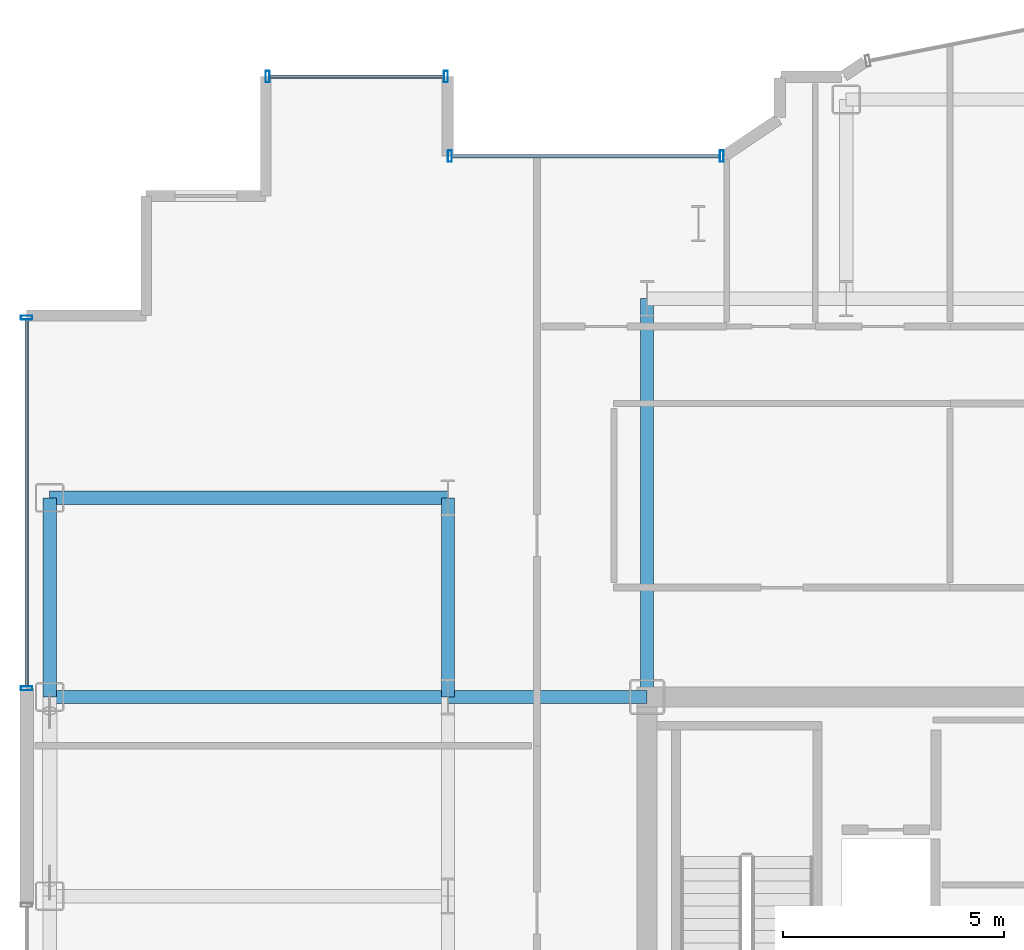
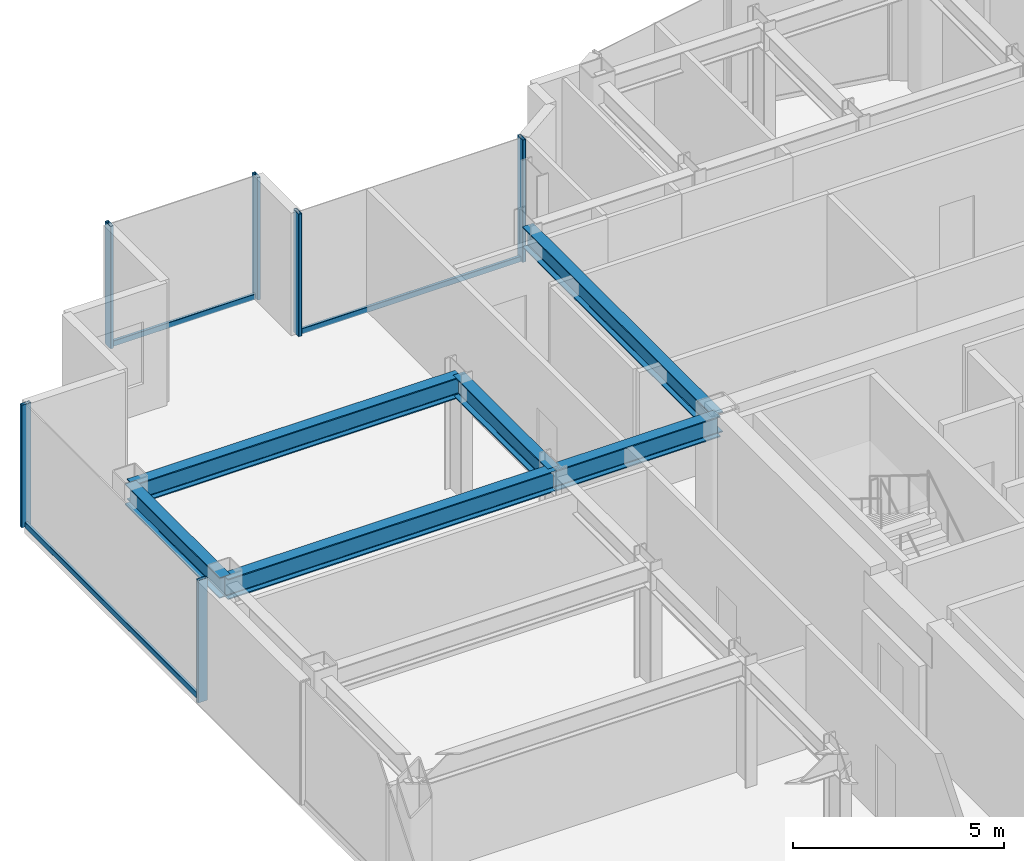
# One storey, part 9 of 21: 9 members, 6 beams, 3 elements without a shape of their own.
"""IFC4 building model written with IfcOpenShell, lengths in metres."""

from ifc_helpers import new_model, si_unit, direction, frame, origin, origin_2d, place, context, subcontext, project, spatial, hollow_rectangle, i_section, extrude, source, transform, mapped, material, layer, layer_set, material_profile, profile_set, type_object, element, aggregate, save


model = new_model("IFC4")

# Units and contexts
model_context = context("Model", 3, precision=1e-05, world=origin(), true_north=direction((0.0, 1.0)))
body_context = subcontext(model_context, "Body", "Model", "MODEL_VIEW")
ifc_project = project(units=[si_unit("LENGTHUNIT", "METRE"), si_unit("AREAUNIT", "SQUARE_METRE"), si_unit("VOLUMEUNIT", "CUBIC_METRE"), si_unit("PLANEANGLEUNIT", "RADIAN"), si_unit("MASSUNIT", "GRAM", prefix="KILO")], contexts=[model_context])

# Site, building, storey
site_placement = place(None, origin())
site = spatial("IfcSite", under=ifc_project, at=site_placement, CompositionType="ELEMENT")
building_placement = place(site_placement, origin())
building = spatial("IfcBuilding", under=site, at=building_placement, Name="Nefas-Gora Pilgrimage Tower", CompositionType="ELEMENT")
storey_placement = place(building_placement, frame((0.0, 0.0, 252.199951171875)))
storey = spatial("IfcBuildingStorey", under=building, at=storey_placement, Name="L63", CompositionType="ELEMENT", Elevation=252.199951171875)

# Beams
ifc_material_1 = material(Name="Steel S355", Category="steel")
ifc_material_profile_1 = material_profile(ifc_material_1, i_section(OverallWidth=0.300048828125, OverallDepth=0.60009765625, WebThickness=0.015380859375, FlangeThickness=0.030029296875, FilletRadius=0.027099609375, at=origin_2d()), Name="HEB 600")
ifc_profile_set_1 = profile_set([ifc_material_profile_1], Name="Steel S355")
beam_type_1 = type_object("IfcBeamType", Name="BM-SPN-HEB450", PredefinedType="SPANDREL", material=ifc_profile_set_1)
shared_shape_1 = source(origin(), body_context, "Body", "SweptSolid", [
    extrude(i_section(OverallWidth=0.300048828125, OverallDepth=0.60009765625, WebThickness=0.015380859375, FlangeThickness=0.030029296875, FilletRadius=0.027099609375, at=origin_2d()), origin(), (0.0, 0.0, 1.0), 4.5),
])
beam_placement = place(storey_placement, frame((-24.75, 9.0, 3.25), z_axis=(0.0, 1.0, 0.0), x_axis=(-1.0, 0.0, 0.0)))
element("IfcBeam", 1, at=beam_placement, inside=storey, type_object=beam_type_1, Name="L63 SP-03 beam", PredefinedType="SPANDREL", context=body_context, shape_type="MappedRepresentation", body=[
    mapped(shared_shape_1, transform((0.0, 0.0, 0.0), x_axis=(1.0, 0.0, 0.0), y_axis=(0.0, 1.0, 0.0), z_axis=(0.0, 0.0, 1.0), scale=1.0)),
])
ifc_material_profile_2 = material_profile(ifc_material_1, i_section(OverallWidth=0.300048828125, OverallDepth=0.60009765625, WebThickness=0.015380859375, FlangeThickness=0.030029296875, FilletRadius=0.027099609375, at=origin_2d()), Name="HEB 600")
ifc_profile_set_2 = profile_set([ifc_material_profile_2], Name="Steel S355")
beam_type_2 = type_object("IfcBeamType", Name="BM-GIR-HEB600", PredefinedType="BEAM", material=ifc_profile_set_2)
shared_shape_2 = source(origin(), body_context, "Body", "SweptSolid", [
    extrude(i_section(OverallWidth=0.300048828125, OverallDepth=0.60009765625, WebThickness=0.015380859375, FlangeThickness=0.030029296875, FilletRadius=0.027099609375, at=origin_2d()), origin(), (0.0, 0.0, 1.0), 9.0),
])
for number, where, z_axis, x_axis, name in (
    (2, (-24.75, 9.0, 3.25), (1.0, 0.0, 0.0), (0.0, 1.0, 0.0), "L63 G-04 beam"),
    (3, (-24.75, 13.5, 3.25), (1.0, 0.0, 0.0), (0.0, 1.0, 0.0), "L63 G-04 beam"),
    (4, (-11.25, 9.0, 3.25), (0.0, 1.0, 0.0), (-1.0, 0.0, 0.0), "L63 G-04 beam"),
):
    element("IfcBeam", number, at=place(storey_placement, frame(where, z_axis=z_axis, x_axis=x_axis)), inside=storey, type_object=beam_type_2, Name=name, PredefinedType="BEAM", context=body_context, shape_type="MappedRepresentation", body=[
        mapped(shared_shape_2, transform((0.0, 0.0, 0.0), x_axis=(1.0, 0.0, 0.0), y_axis=(0.0, 1.0, 0.0), z_axis=(0.0, 0.0, 1.0), scale=1.0)),
    ])
shared_shape_3 = source(origin(), body_context, "Body", "SweptSolid", [
    extrude(i_section(OverallWidth=0.300048828125, OverallDepth=0.60009765625, WebThickness=0.015380859375, FlangeThickness=0.030029296875, FilletRadius=0.027099609375, at=origin_2d()), origin(), (0.0, 0.0, 1.0), 4.5),
])
for number, where, z_axis, x_axis, name in (
    (5, (-15.75, 9.0, 3.25), (0.0, 1.0, 0.0), (-1.0, 0.0, 0.0), "L63 G-04 beam"),
    (6, (-15.75, 9.0, 3.25), (1.0, 0.0, 0.0), (0.0, 1.0, 0.0), "L63 G-04 beam"),
):
    element("IfcBeam", number, at=place(storey_placement, frame(where, z_axis=z_axis, x_axis=x_axis)), inside=storey, type_object=beam_type_2, Name=name, PredefinedType="BEAM", context=body_context, shape_type="MappedRepresentation", body=[
        mapped(shared_shape_3, transform((0.0, 0.0, 0.0), x_axis=(1.0, 0.0, 0.0), y_axis=(0.0, 1.0, 0.0), z_axis=(0.0, 0.0, 1.0), scale=1.0)),
    ])

# Curtain wall, members
ifc_material_2 = material(Name="Dark ceramic-fritted solar-control aluminium-glass curtain wall", Category="aluminium")
ifc_layer_1 = layer(ifc_material_2, 0.219970703125)
ifc_layer_set_1 = layer_set([ifc_layer_1], Name="Dark ceramic-fritted solar-control aluminium-glass curtain wall")
curtain_wall_type_1 = type_object("IfcCurtainWallType", Name="CW-SYS-5", PredefinedType="NOTDEFINED", material=ifc_layer_set_1)
curtain_wall_1_placement = place(storey_placement, origin())
curtain_wall_1 = element("IfcCurtainWall", 7, at=curtain_wall_1_placement, inside=storey, type_object=curtain_wall_type_1, Name="L63 Unitised Curtain Wall CW5", PredefinedType="NOTDEFINED")
ifc_material_3 = material(Name="Anodised architectural aluminium", Category="aluminium")
ifc_material_profile_3 = material_profile(ifc_material_3, hollow_rectangle(XDim=0.090087890625, YDim=0.260009765625, WallThickness=0.006103515625, InnerFilletRadius=0.006103515625, OuterFilletRadius=0.011962890625, at=origin_2d()), Name="ALU MULLION 90x260")
ifc_profile_set_3 = profile_set([ifc_material_profile_3], Name="Anodised architectural aluminium")
member_type_1 = type_object("IfcMemberType", Name="CWM-MUL-5", PredefinedType="MULLION", material=ifc_profile_set_3)
shared_shape_4 = source(origin(), body_context, "Body", "SweptSolid", [
    extrude(hollow_rectangle(XDim=0.090087890625, YDim=0.260009765625, WallThickness=0.006103515625, InnerFilletRadius=0.006103515625, OuterFilletRadius=0.011962890625, at=origin_2d()), origin(), (0.0, 0.0, 1.0), 3.550048828125),
])
member_1_placement = place(storey_placement, frame((-9.56298828125, 21.219970703125, 0.0), z_axis=(0.0, 0.0, 1.0), x_axis=(-1.0, 0.0, 0.0)))
member_1 = element("IfcMember", 8, at=member_1_placement, type_object=member_type_1, Name="CW5 Mullion 1", PredefinedType="MULLION", context=body_context, shape_type="MappedRepresentation", body=[
    mapped(shared_shape_4, transform((0.0, 0.0, 0.0), x_axis=(1.0, 0.0, 0.0), y_axis=(0.0, 1.0, 0.0), z_axis=(0.0, 0.0, 1.0), scale=1.0)),
])
member_2_placement = place(storey_placement, frame((-15.705078125, 21.219970703125, 0.0), z_axis=(0.0, 0.0, 1.0), x_axis=(-1.0, 0.0, 0.0)))
member_2 = element("IfcMember", 9, at=member_2_placement, type_object=member_type_1, Name="CW5 Mullion 2", PredefinedType="MULLION", context=body_context, shape_type="MappedRepresentation", body=[
    mapped(shared_shape_4, transform((0.0, 0.0, 0.0), x_axis=(1.0, 0.0, 0.0), y_axis=(0.0, 1.0, 0.0), z_axis=(0.0, 0.0, 1.0), scale=1.0)),
])
ifc_material_profile_4 = material_profile(ifc_material_3, hollow_rectangle(XDim=0.080078125, YDim=0.159912109375, WallThickness=0.00439453125, InnerFilletRadius=0.00439453125, OuterFilletRadius=0.009033203125, at=origin_2d()), Name="ALU TRANSOM 80x160")
ifc_profile_set_4 = profile_set([ifc_material_profile_4], Name="Anodised architectural aluminium")
member_type_2 = type_object("IfcMemberType", Name="CWM-TRN-5", PredefinedType="USERDEFINED", material=ifc_profile_set_4)
shared_shape_5 = source(origin(), body_context, "Body", "SweptSolid", [
    extrude(hollow_rectangle(XDim=0.080078125, YDim=0.159912109375, WallThickness=0.00439453125, InnerFilletRadius=0.00439453125, OuterFilletRadius=0.009033203125, at=origin_2d()), origin(), (0.0, 0.0, 1.0), 6.052001953125),
])
member_3_placement = place(storey_placement, frame((-9.60791015625, 21.219970703125, 0.050048828125), z_axis=(-1.0, 0.0, 0.0), x_axis=(0.0, -1.0, 0.0)))
member_3 = element("IfcMember", 10, at=member_3_placement, type_object=member_type_2, Name="CW5 Spandrel Transom", ObjectType="TRANSOM", PredefinedType="USERDEFINED", context=body_context, shape_type="MappedRepresentation", body=[
    mapped(shared_shape_5, transform((0.0, 0.0, 0.0), x_axis=(1.0, 0.0, 0.0), y_axis=(0.0, 1.0, 0.0), z_axis=(0.0, 0.0, 1.0), scale=1.0)),
])
aggregate(curtain_wall_1, [member_1, member_2, member_3])

ifc_layer_2 = layer(ifc_material_2, 0.219970703125)
ifc_layer_set_2 = layer_set([ifc_layer_2], Name="Dark ceramic-fritted solar-control aluminium-glass curtain wall")
curtain_wall_type_2 = type_object("IfcCurtainWallType", Name="CW-SYS-3", PredefinedType="NOTDEFINED", material=ifc_layer_set_2)
curtain_wall_2_placement = place(storey_placement, origin())
curtain_wall_2 = element("IfcCurtainWall", 11, at=curtain_wall_2_placement, inside=storey, type_object=curtain_wall_type_2, Name="L63 Unitised Curtain Wall CW3", PredefinedType="NOTDEFINED")
ifc_material_profile_5 = material_profile(ifc_material_3, hollow_rectangle(XDim=0.090087890625, YDim=0.260009765625, WallThickness=0.006103515625, InnerFilletRadius=0.006103515625, OuterFilletRadius=0.011962890625, at=origin_2d()), Name="ALU MULLION 90x260")
ifc_profile_set_5 = profile_set([ifc_material_profile_5], Name="Anodised architectural aluminium")
member_type_3 = type_object("IfcMemberType", Name="CWM-MUL-3", PredefinedType="MULLION", material=ifc_profile_set_5)
shared_shape_6 = source(origin(), body_context, "Body", "SweptSolid", [
    extrude(hollow_rectangle(XDim=0.090087890625, YDim=0.260009765625, WallThickness=0.006103515625, InnerFilletRadius=0.006103515625, OuterFilletRadius=0.011962890625, at=origin_2d()), origin(), (0.0, 0.0, 1.0), 3.550048828125),
])
member_4_placement = place(storey_placement, frame((-15.794921875, 23.02001953125, 0.0), z_axis=(0.0, 0.0, 1.0), x_axis=(-1.0, 0.0, 0.0)))
member_4 = element("IfcMember", 12, at=member_4_placement, type_object=member_type_3, Name="CW3 Mullion 1", PredefinedType="MULLION", context=body_context, shape_type="MappedRepresentation", body=[
    mapped(shared_shape_6, transform((0.0, 0.0, 0.0), x_axis=(1.0, 0.0, 0.0), y_axis=(0.0, 1.0, 0.0), z_axis=(0.0, 0.0, 1.0), scale=1.0)),
])
member_5_placement = place(storey_placement, frame((-19.824951171875, 23.02001953125, 0.0), z_axis=(0.0, 0.0, 1.0), x_axis=(-1.0, 0.0, 0.0)))
member_5 = element("IfcMember", 13, at=member_5_placement, type_object=member_type_3, Name="CW3 Mullion 2", PredefinedType="MULLION", context=body_context, shape_type="MappedRepresentation", body=[
    mapped(shared_shape_6, transform((0.0, 0.0, 0.0), x_axis=(1.0, 0.0, 0.0), y_axis=(0.0, 1.0, 0.0), z_axis=(0.0, 0.0, 1.0), scale=1.0)),
])

curtain_wall_3_placement = place(storey_placement, origin())
curtain_wall_3 = element("IfcCurtainWall", 14, at=curtain_wall_3_placement, inside=storey, type_object=curtain_wall_type_2, Name="L63 Unitised Curtain Wall CW3", PredefinedType="NOTDEFINED")
member_6_placement = place(storey_placement, frame((-25.27001953125, 17.574951171875, 0.0), z_axis=(0.0, 0.0, 1.0), x_axis=(0.0, -1.0, 0.0)))
member_6 = element("IfcMember", 15, at=member_6_placement, type_object=member_type_3, Name="CW3 Mullion 1", PredefinedType="MULLION", context=body_context, shape_type="MappedRepresentation", body=[
    mapped(shared_shape_6, transform((0.0, 0.0, 0.0), x_axis=(1.0, 0.0, 0.0), y_axis=(0.0, 1.0, 0.0), z_axis=(0.0, 0.0, 1.0), scale=1.0)),
])
member_7_placement = place(storey_placement, frame((-25.27001953125, 9.195068359375, 0.0), z_axis=(0.0, 0.0, 1.0), x_axis=(0.0, -1.0, 0.0)))
member_7 = element("IfcMember", 16, at=member_7_placement, type_object=member_type_3, Name="CW3 Mullion 2", PredefinedType="MULLION", context=body_context, shape_type="MappedRepresentation", body=[
    mapped(shared_shape_6, transform((0.0, 0.0, 0.0), x_axis=(1.0, 0.0, 0.0), y_axis=(0.0, 1.0, 0.0), z_axis=(0.0, 0.0, 1.0), scale=1.0)),
])
ifc_material_profile_6 = material_profile(ifc_material_3, hollow_rectangle(XDim=0.080078125, YDim=0.159912109375, WallThickness=0.00439453125, InnerFilletRadius=0.00439453125, OuterFilletRadius=0.009033203125, at=origin_2d()), Name="ALU TRANSOM 80x160")
ifc_profile_set_6 = profile_set([ifc_material_profile_6], Name="Anodised architectural aluminium")
member_type_4 = type_object("IfcMemberType", Name="CWM-TRN-3", PredefinedType="USERDEFINED", material=ifc_profile_set_6)
shared_shape_7 = source(origin(), body_context, "Body", "SweptSolid", [
    extrude(hollow_rectangle(XDim=0.080078125, YDim=0.159912109375, WallThickness=0.00439453125, InnerFilletRadius=0.00439453125, OuterFilletRadius=0.009033203125, at=origin_2d()), origin(), (0.0, 0.0, 1.0), 8.2900390625),
])
member_8_placement = place(storey_placement, frame((-25.27001953125, 17.530029296875, 0.050048828125), z_axis=(0.0, -1.0, 0.0), x_axis=(1.0, 0.0, 0.0)))
member_8 = element("IfcMember", 17, at=member_8_placement, type_object=member_type_4, Name="CW3 Spandrel Transom", ObjectType="TRANSOM", PredefinedType="USERDEFINED", context=body_context, shape_type="MappedRepresentation", body=[
    mapped(shared_shape_7, transform((0.0, 0.0, 0.0), x_axis=(1.0, 0.0, 0.0), y_axis=(0.0, 1.0, 0.0), z_axis=(0.0, 0.0, 1.0), scale=1.0)),
])
aggregate(curtain_wall_3, [member_6, member_7, member_8])

# Member
shared_shape_8 = source(origin(), body_context, "Body", "SweptSolid", [
    extrude(hollow_rectangle(XDim=0.080078125, YDim=0.159912109375, WallThickness=0.00439453125, InnerFilletRadius=0.00439453125, OuterFilletRadius=0.009033203125, at=origin_2d()), origin(), (0.0, 0.0, 1.0), 3.93994140625),
])
member_9_placement = place(storey_placement, frame((-15.840087890625, 23.02001953125, 0.050048828125), z_axis=(-1.0, 0.0, 0.0), x_axis=(0.0, -1.0, 0.0)))
member_9 = element("IfcMember", 18, at=member_9_placement, type_object=member_type_4, Name="CW3 Spandrel Transom", ObjectType="TRANSOM", PredefinedType="USERDEFINED", context=body_context, shape_type="MappedRepresentation", body=[
    mapped(shared_shape_8, transform((0.0, 0.0, 0.0), x_axis=(1.0, 0.0, 0.0), y_axis=(0.0, 1.0, 0.0), z_axis=(0.0, 0.0, 1.0), scale=1.0)),
])

aggregate(curtain_wall_2, [member_4, member_5, member_9])

save(model, "model.ifc")
